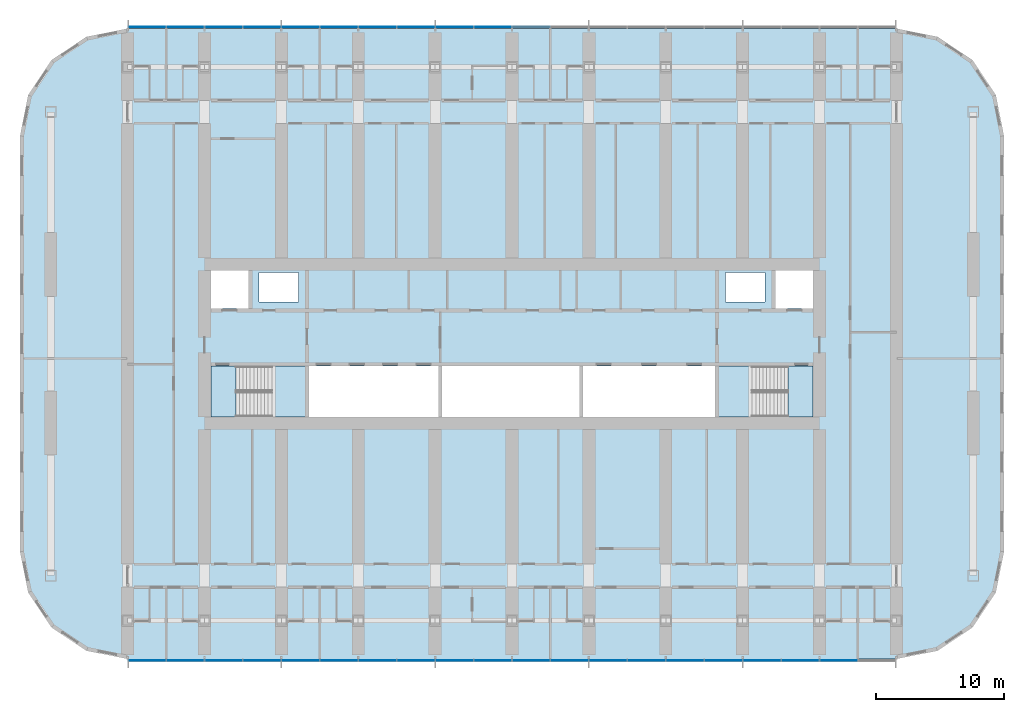
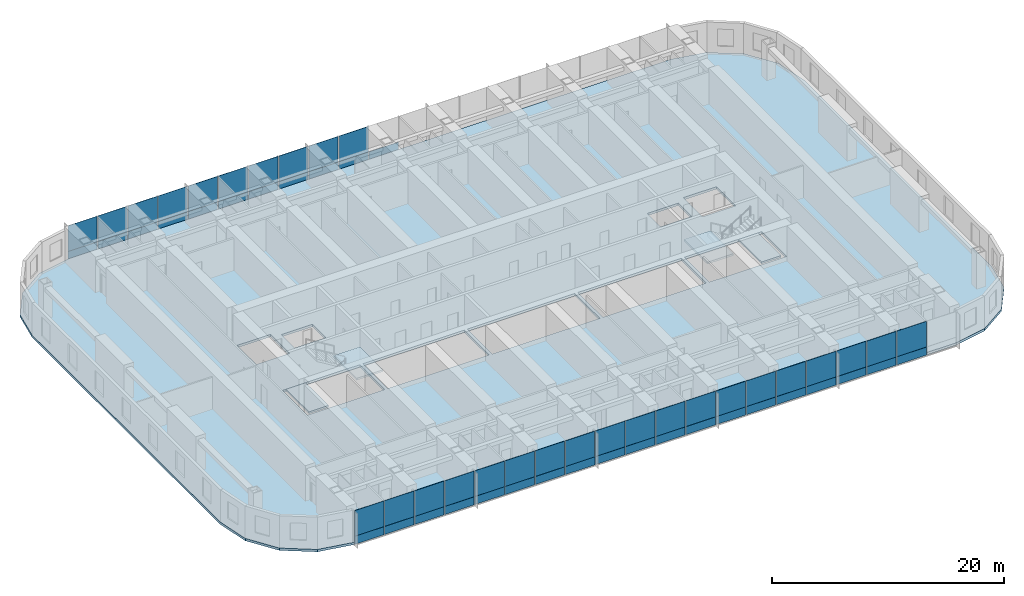
# One storey, part 8 of 23: 59 plates, 5 slabs, 4 elements without a shape of their own.
"""IFC4 building model written with IfcOpenShell, lengths in metres."""

from ifc_helpers import new_model, si_unit, direction, frame, origin, origin_2d, place, context, subcontext, project, spatial, polyline, rectangle, outline, extrude, material, layer, layer_set, type_object, element, aggregate, save


model = new_model("IFC4")

# Units and contexts
model_context = context("Model", 3, precision=1e-05, world=origin(), true_north=direction((0.0, 1.0)))
body_context = subcontext(model_context, "Body", "Model", "MODEL_VIEW")
ifc_project = project(units=[si_unit("LENGTHUNIT", "METRE"), si_unit("AREAUNIT", "SQUARE_METRE"), si_unit("VOLUMEUNIT", "CUBIC_METRE"), si_unit("PLANEANGLEUNIT", "RADIAN"), si_unit("MASSUNIT", "GRAM", prefix="KILO")], contexts=[model_context])

# Site, building, storey
site_placement = place(None, origin())
site = spatial("IfcSite", under=ifc_project, at=site_placement, CompositionType="ELEMENT")
building_placement = place(site_placement, origin())
building = spatial("IfcBuilding", under=site, at=building_placement, Name="Orbita Commons", CompositionType="ELEMENT")
storey_placement = place(building_placement, frame((0.0, 0.0, 65.199951171875)))
storey = spatial("IfcBuildingStorey", under=building, at=storey_placement, Name="L16", CompositionType="ELEMENT", Elevation=65.199951171875)

# Slab
ifc_material_1 = material(Name="Concrete C40/50", Category="concrete")
ifc_layer_1 = layer(ifc_material_1, 0.25)
ifc_layer_set_1 = layer_set([ifc_layer_1], Name="Concrete C40/50")
slab_type_1 = type_object("IfcSlabType", Name="Floor slab 250", PredefinedType="FLOOR", material=ifc_layer_set_1)
slab_1_placement = place(storey_placement, frame((0.0, 0.0, -0.25)))
element("IfcSlab", 1, at=slab_1_placement, inside=storey, type_object=slab_type_1, Name="Floor slab L16", PredefinedType="FLOOR", context=body_context, shape_type="SweptSolid", body=[
    extrude(outline(polyline([(72.0, 7.39990234375), (75.214599609375, 8.039306640625), (77.939697265625, 9.8603515625), (79.760498046875, 12.58544921875), (80.39990234375, 15.800048828125), (80.39990234375, 48.199951171875), (79.760498046875, 51.41455078125), (77.939697265625, 54.1396484375), (75.214599609375, 55.960693359375), (72.0, 56.60009765625), (12.0, 56.60009765625), (8.785400390625, 55.960693359375), (6.060302734375, 54.1396484375), (4.239501953125, 51.41455078125), (3.60009765625, 48.199951171875), (3.60009765625, 15.800048828125), (4.239501953125, 12.58544921875), (6.060302734375, 9.8603515625), (8.785400390625, 8.039306640625), (12.0, 7.39990234375), (72.0, 7.39990234375)]), holes=[polyline([(18.14990234375, 25.949951171875), (25.85009765625, 25.949951171875), (25.85009765625, 30.25), (18.14990234375, 30.25), (18.14990234375, 25.949951171875)]), polyline([(58.14990234375, 25.949951171875), (65.85009765625, 25.949951171875), (65.85009765625, 30.25), (58.14990234375, 30.25), (58.14990234375, 25.949951171875)]), polyline([(18.14990234375, 34.75), (21.449951171875, 34.75), (21.449951171875, 38.050048828125), (18.14990234375, 38.050048828125), (18.14990234375, 34.75)]), polyline([(62.550048828125, 34.75), (65.85009765625, 34.75), (65.85009765625, 38.050048828125), (62.550048828125, 38.050048828125), (62.550048828125, 34.75)]), polyline([(22.25, 35.25), (25.35009765625, 35.25), (25.35009765625, 37.550048828125), (22.25, 37.550048828125), (22.25, 35.25)]), polyline([(58.64990234375, 35.25), (61.75, 35.25), (61.75, 37.550048828125), (58.64990234375, 37.550048828125), (58.64990234375, 35.25)]), polyline([(26.14990234375, 25.949951171875), (36.25, 25.949951171875), (36.25, 30.25), (26.14990234375, 30.25), (26.14990234375, 25.949951171875)]), polyline([(36.550048828125, 25.949951171875), (47.25, 25.949951171875), (47.25, 30.25), (36.550048828125, 30.25), (36.550048828125, 25.949951171875)]), polyline([(47.550048828125, 25.949951171875), (57.85009765625, 25.949951171875), (57.85009765625, 30.25), (47.550048828125, 30.25), (47.550048828125, 25.949951171875)])]), origin(), (0.0, 0.0, 1.0), 0.25),
])

# Curtain wall, plates
ifc_material_2 = material(Name="Anodised aluminium frame, pale silver", Category="aluminium")
curtain_wall_type = type_object("IfcCurtainWallType", Name="Unitised curtain wall CW-T, vision and spandrel", PredefinedType="NOTDEFINED", material=ifc_material_2)
curtain_wall_1_placement = place(storey_placement, origin())
curtain_wall_1 = element("IfcCurtainWall", 2, at=curtain_wall_1_placement, inside=storey, type_object=curtain_wall_type, Name="Curtain wall south L16", PredefinedType="NOTDEFINED")
ifc_material_3 = material(Name="Anodised aluminium sheet on mineral wool", Category="aluminium")
ifc_layer_2 = layer(ifc_material_3, 0.050048828125)
ifc_layer_set_2 = layer_set([ifc_layer_2], Name="Anodised aluminium sheet on mineral wool")
plate_type_1 = type_object("IfcPlateType", Name="Spandrel panel, pale aluminium over insulation 50", PredefinedType="CURTAIN_PANEL", material=ifc_layer_set_2)
plate_1_placement = place(storey_placement, frame((13.52001953125, 7.2900390625, -0.14990234375), z_axis=(0.0, 0.0, 1.0), x_axis=(1.0, 0.0, 0.0)))
plate_1 = element("IfcPlate", 3, at=plate_1_placement, type_object=plate_type_1, Name="Panel 1.1 CW-L16-S", PredefinedType="CURTAIN_PANEL", context=body_context, shape_type="SweptSolid", body=[
    extrude(rectangle(XDim=2.8798828125, YDim=0.050048828125, at=origin_2d()), origin(), (0.0, 0.0, 1.0), 0.84912109375),
])
plate_2_placement = place(storey_placement, frame((16.5, 7.2900390625, -0.14990234375), z_axis=(0.0, 0.0, 1.0), x_axis=(1.0, 0.0, 0.0)))
plate_2 = element("IfcPlate", 4, at=plate_2_placement, type_object=plate_type_1, Name="Panel 2.1 CW-L16-S", PredefinedType="CURTAIN_PANEL", context=body_context, shape_type="SweptSolid", body=[
    extrude(rectangle(XDim=2.919921875, YDim=0.050048828125, at=origin_2d()), origin(), (0.0, 0.0, 1.0), 0.84912109375),
])
plate_3_placement = place(storey_placement, frame((19.5, 7.2900390625, -0.14990234375), z_axis=(0.0, 0.0, 1.0), x_axis=(1.0, 0.0, 0.0)))
plate_3 = element("IfcPlate", 5, at=plate_3_placement, type_object=plate_type_1, Name="Panel 3.1 CW-L16-S", PredefinedType="CURTAIN_PANEL", context=body_context, shape_type="SweptSolid", body=[
    extrude(rectangle(XDim=2.919921875, YDim=0.050048828125, at=origin_2d()), origin(), (0.0, 0.0, 1.0), 0.84912109375),
])
plate_4_placement = place(storey_placement, frame((22.5, 7.2900390625, -0.14990234375), z_axis=(0.0, 0.0, 1.0), x_axis=(1.0, 0.0, 0.0)))
plate_4 = element("IfcPlate", 6, at=plate_4_placement, type_object=plate_type_1, Name="Panel 4.1 CW-L16-S", PredefinedType="CURTAIN_PANEL", context=body_context, shape_type="SweptSolid", body=[
    extrude(rectangle(XDim=2.919921875, YDim=0.050048828125, at=origin_2d()), origin(), (0.0, 0.0, 1.0), 0.84912109375),
])
plate_5_placement = place(storey_placement, frame((25.5, 7.2900390625, -0.14990234375), z_axis=(0.0, 0.0, 1.0), x_axis=(1.0, 0.0, 0.0)))
plate_5 = element("IfcPlate", 7, at=plate_5_placement, type_object=plate_type_1, Name="Panel 5.1 CW-L16-S", PredefinedType="CURTAIN_PANEL", context=body_context, shape_type="SweptSolid", body=[
    extrude(rectangle(XDim=2.919921875, YDim=0.050048828125, at=origin_2d()), origin(), (0.0, 0.0, 1.0), 0.84912109375),
])
plate_6_placement = place(storey_placement, frame((28.5, 7.2900390625, -0.14990234375), z_axis=(0.0, 0.0, 1.0), x_axis=(1.0, 0.0, 0.0)))
plate_6 = element("IfcPlate", 8, at=plate_6_placement, type_object=plate_type_1, Name="Panel 6.1 CW-L16-S", PredefinedType="CURTAIN_PANEL", context=body_context, shape_type="SweptSolid", body=[
    extrude(rectangle(XDim=2.919921875, YDim=0.050048828125, at=origin_2d()), origin(), (0.0, 0.0, 1.0), 0.84912109375),
])
plate_7_placement = place(storey_placement, frame((31.5, 7.2900390625, -0.14990234375), z_axis=(0.0, 0.0, 1.0), x_axis=(1.0, 0.0, 0.0)))
plate_7 = element("IfcPlate", 9, at=plate_7_placement, type_object=plate_type_1, Name="Panel 7.1 CW-L16-S", PredefinedType="CURTAIN_PANEL", context=body_context, shape_type="SweptSolid", body=[
    extrude(rectangle(XDim=2.919921875, YDim=0.050048828125, at=origin_2d()), origin(), (0.0, 0.0, 1.0), 0.84912109375),
])
plate_8_placement = place(storey_placement, frame((34.5, 7.2900390625, -0.14990234375), z_axis=(0.0, 0.0, 1.0), x_axis=(1.0, 0.0, 0.0)))
plate_8 = element("IfcPlate", 10, at=plate_8_placement, type_object=plate_type_1, Name="Panel 8.1 CW-L16-S", PredefinedType="CURTAIN_PANEL", context=body_context, shape_type="SweptSolid", body=[
    extrude(rectangle(XDim=2.919921875, YDim=0.050048828125, at=origin_2d()), origin(), (0.0, 0.0, 1.0), 0.84912109375),
])
plate_9_placement = place(storey_placement, frame((37.5, 7.2900390625, -0.14990234375), z_axis=(0.0, 0.0, 1.0), x_axis=(1.0, 0.0, 0.0)))
plate_9 = element("IfcPlate", 11, at=plate_9_placement, type_object=plate_type_1, Name="Panel 9.1 CW-L16-S", PredefinedType="CURTAIN_PANEL", context=body_context, shape_type="SweptSolid", body=[
    extrude(rectangle(XDim=2.919921875, YDim=0.050048828125, at=origin_2d()), origin(), (0.0, 0.0, 1.0), 0.84912109375),
])
plate_10_placement = place(storey_placement, frame((40.5, 7.2900390625, -0.14990234375), z_axis=(0.0, 0.0, 1.0), x_axis=(1.0, 0.0, 0.0)))
plate_10 = element("IfcPlate", 12, at=plate_10_placement, type_object=plate_type_1, Name="Panel 10.1 CW-L16-S", PredefinedType="CURTAIN_PANEL", context=body_context, shape_type="SweptSolid", body=[
    extrude(rectangle(XDim=2.919921875, YDim=0.050048828125, at=origin_2d()), origin(), (0.0, 0.0, 1.0), 0.84912109375),
])
plate_11_placement = place(storey_placement, frame((43.5, 7.2900390625, -0.14990234375), z_axis=(0.0, 0.0, 1.0), x_axis=(1.0, 0.0, 0.0)))
plate_11 = element("IfcPlate", 13, at=plate_11_placement, type_object=plate_type_1, Name="Panel 11.1 CW-L16-S", PredefinedType="CURTAIN_PANEL", context=body_context, shape_type="SweptSolid", body=[
    extrude(rectangle(XDim=2.919921875, YDim=0.050048828125, at=origin_2d()), origin(), (0.0, 0.0, 1.0), 0.84912109375),
])
plate_12_placement = place(storey_placement, frame((46.5, 7.2900390625, -0.14990234375), z_axis=(0.0, 0.0, 1.0), x_axis=(1.0, 0.0, 0.0)))
plate_12 = element("IfcPlate", 14, at=plate_12_placement, type_object=plate_type_1, Name="Panel 12.1 CW-L16-S", PredefinedType="CURTAIN_PANEL", context=body_context, shape_type="SweptSolid", body=[
    extrude(rectangle(XDim=2.919921875, YDim=0.050048828125, at=origin_2d()), origin(), (0.0, 0.0, 1.0), 0.84912109375),
])
plate_13_placement = place(storey_placement, frame((49.5, 7.2900390625, -0.14990234375), z_axis=(0.0, 0.0, 1.0), x_axis=(1.0, 0.0, 0.0)))
plate_13 = element("IfcPlate", 15, at=plate_13_placement, type_object=plate_type_1, Name="Panel 13.1 CW-L16-S", PredefinedType="CURTAIN_PANEL", context=body_context, shape_type="SweptSolid", body=[
    extrude(rectangle(XDim=2.919921875, YDim=0.050048828125, at=origin_2d()), origin(), (0.0, 0.0, 1.0), 0.84912109375),
])
plate_14_placement = place(storey_placement, frame((52.5, 7.2900390625, -0.14990234375), z_axis=(0.0, 0.0, 1.0), x_axis=(1.0, 0.0, 0.0)))
plate_14 = element("IfcPlate", 16, at=plate_14_placement, type_object=plate_type_1, Name="Panel 14.1 CW-L16-S", PredefinedType="CURTAIN_PANEL", context=body_context, shape_type="SweptSolid", body=[
    extrude(rectangle(XDim=2.919921875, YDim=0.050048828125, at=origin_2d()), origin(), (0.0, 0.0, 1.0), 0.84912109375),
])
plate_15_placement = place(storey_placement, frame((55.5, 7.2900390625, -0.14990234375), z_axis=(0.0, 0.0, 1.0), x_axis=(1.0, 0.0, 0.0)))
plate_15 = element("IfcPlate", 17, at=plate_15_placement, type_object=plate_type_1, Name="Panel 15.1 CW-L16-S", PredefinedType="CURTAIN_PANEL", context=body_context, shape_type="SweptSolid", body=[
    extrude(rectangle(XDim=2.919921875, YDim=0.050048828125, at=origin_2d()), origin(), (0.0, 0.0, 1.0), 0.84912109375),
])
plate_16_placement = place(storey_placement, frame((58.5, 7.2900390625, -0.14990234375), z_axis=(0.0, 0.0, 1.0), x_axis=(1.0, 0.0, 0.0)))
plate_16 = element("IfcPlate", 18, at=plate_16_placement, type_object=plate_type_1, Name="Panel 16.1 CW-L16-S", PredefinedType="CURTAIN_PANEL", context=body_context, shape_type="SweptSolid", body=[
    extrude(rectangle(XDim=2.919921875, YDim=0.050048828125, at=origin_2d()), origin(), (0.0, 0.0, 1.0), 0.84912109375),
])
plate_17_placement = place(storey_placement, frame((61.5, 7.2900390625, -0.14990234375), z_axis=(0.0, 0.0, 1.0), x_axis=(1.0, 0.0, 0.0)))
plate_17 = element("IfcPlate", 19, at=plate_17_placement, type_object=plate_type_1, Name="Panel 17.1 CW-L16-S", PredefinedType="CURTAIN_PANEL", context=body_context, shape_type="SweptSolid", body=[
    extrude(rectangle(XDim=2.919921875, YDim=0.050048828125, at=origin_2d()), origin(), (0.0, 0.0, 1.0), 0.84912109375),
])
plate_18_placement = place(storey_placement, frame((64.5, 7.2900390625, -0.14990234375), z_axis=(0.0, 0.0, 1.0), x_axis=(1.0, 0.0, 0.0)))
plate_18 = element("IfcPlate", 20, at=plate_18_placement, type_object=plate_type_1, Name="Panel 18.1 CW-L16-S", PredefinedType="CURTAIN_PANEL", context=body_context, shape_type="SweptSolid", body=[
    extrude(rectangle(XDim=2.919921875, YDim=0.050048828125, at=origin_2d()), origin(), (0.0, 0.0, 1.0), 0.84912109375),
])
plate_19_placement = place(storey_placement, frame((67.5, 7.2900390625, -0.14990234375), z_axis=(0.0, 0.0, 1.0), x_axis=(1.0, 0.0, 0.0)))
plate_19 = element("IfcPlate", 21, at=plate_19_placement, type_object=plate_type_1, Name="Panel 19.1 CW-L16-S", PredefinedType="CURTAIN_PANEL", context=body_context, shape_type="SweptSolid", body=[
    extrude(rectangle(XDim=2.919921875, YDim=0.050048828125, at=origin_2d()), origin(), (0.0, 0.0, 1.0), 0.84912109375),
])

curtain_wall_2_placement = place(storey_placement, origin())
curtain_wall_2 = element("IfcCurtainWall", 22, at=curtain_wall_2_placement, inside=storey, type_object=curtain_wall_type, Name="Curtain wall north L16", PredefinedType="NOTDEFINED")
plate_20_placement = place(storey_placement, frame((43.5, 56.7099609375, -0.14990234375), z_axis=(0.0, 0.0, 1.0), x_axis=(-1.0, 0.0, 0.0)))
plate_20 = element("IfcPlate", 23, at=plate_20_placement, type_object=plate_type_1, Name="Panel 10.1 CW-L16-N", PredefinedType="CURTAIN_PANEL", context=body_context, shape_type="SweptSolid", body=[
    extrude(rectangle(XDim=2.919921875, YDim=0.050048828125, at=origin_2d()), origin(), (0.0, 0.0, 1.0), 0.84912109375),
])
plate_21_placement = place(storey_placement, frame((40.5, 56.7099609375, -0.14990234375), z_axis=(0.0, 0.0, 1.0), x_axis=(-1.0, 0.0, 0.0)))
plate_21 = element("IfcPlate", 24, at=plate_21_placement, type_object=plate_type_1, Name="Panel 11.1 CW-L16-N", PredefinedType="CURTAIN_PANEL", context=body_context, shape_type="SweptSolid", body=[
    extrude(rectangle(XDim=2.919921875, YDim=0.050048828125, at=origin_2d()), origin(), (0.0, 0.0, 1.0), 0.84912109375),
])
plate_22_placement = place(storey_placement, frame((37.5, 56.7099609375, -0.14990234375), z_axis=(0.0, 0.0, 1.0), x_axis=(-1.0, 0.0, 0.0)))
plate_22 = element("IfcPlate", 25, at=plate_22_placement, type_object=plate_type_1, Name="Panel 12.1 CW-L16-N", PredefinedType="CURTAIN_PANEL", context=body_context, shape_type="SweptSolid", body=[
    extrude(rectangle(XDim=2.919921875, YDim=0.050048828125, at=origin_2d()), origin(), (0.0, 0.0, 1.0), 0.84912109375),
])
plate_23_placement = place(storey_placement, frame((34.5, 56.7099609375, -0.14990234375), z_axis=(0.0, 0.0, 1.0), x_axis=(-1.0, 0.0, 0.0)))
plate_23 = element("IfcPlate", 26, at=plate_23_placement, type_object=plate_type_1, Name="Panel 13.1 CW-L16-N", PredefinedType="CURTAIN_PANEL", context=body_context, shape_type="SweptSolid", body=[
    extrude(rectangle(XDim=2.919921875, YDim=0.050048828125, at=origin_2d()), origin(), (0.0, 0.0, 1.0), 0.84912109375),
])
plate_24_placement = place(storey_placement, frame((31.5, 56.7099609375, -0.14990234375), z_axis=(0.0, 0.0, 1.0), x_axis=(-1.0, 0.0, 0.0)))
plate_24 = element("IfcPlate", 27, at=plate_24_placement, type_object=plate_type_1, Name="Panel 14.1 CW-L16-N", PredefinedType="CURTAIN_PANEL", context=body_context, shape_type="SweptSolid", body=[
    extrude(rectangle(XDim=2.919921875, YDim=0.050048828125, at=origin_2d()), origin(), (0.0, 0.0, 1.0), 0.84912109375),
])
plate_25_placement = place(storey_placement, frame((28.5, 56.7099609375, -0.14990234375), z_axis=(0.0, 0.0, 1.0), x_axis=(-1.0, 0.0, 0.0)))
plate_25 = element("IfcPlate", 28, at=plate_25_placement, type_object=plate_type_1, Name="Panel 15.1 CW-L16-N", PredefinedType="CURTAIN_PANEL", context=body_context, shape_type="SweptSolid", body=[
    extrude(rectangle(XDim=2.919921875, YDim=0.050048828125, at=origin_2d()), origin(), (0.0, 0.0, 1.0), 0.84912109375),
])
plate_26_placement = place(storey_placement, frame((25.5, 56.7099609375, -0.14990234375), z_axis=(0.0, 0.0, 1.0), x_axis=(-1.0, 0.0, 0.0)))
plate_26 = element("IfcPlate", 29, at=plate_26_placement, type_object=plate_type_1, Name="Panel 16.1 CW-L16-N", PredefinedType="CURTAIN_PANEL", context=body_context, shape_type="SweptSolid", body=[
    extrude(rectangle(XDim=2.919921875, YDim=0.050048828125, at=origin_2d()), origin(), (0.0, 0.0, 1.0), 0.84912109375),
])
plate_27_placement = place(storey_placement, frame((22.5, 56.7099609375, -0.14990234375), z_axis=(0.0, 0.0, 1.0), x_axis=(-1.0, 0.0, 0.0)))
plate_27 = element("IfcPlate", 30, at=plate_27_placement, type_object=plate_type_1, Name="Panel 17.1 CW-L16-N", PredefinedType="CURTAIN_PANEL", context=body_context, shape_type="SweptSolid", body=[
    extrude(rectangle(XDim=2.919921875, YDim=0.050048828125, at=origin_2d()), origin(), (0.0, 0.0, 1.0), 0.84912109375),
])
plate_28_placement = place(storey_placement, frame((19.5, 56.7099609375, -0.14990234375), z_axis=(0.0, 0.0, 1.0), x_axis=(-1.0, 0.0, 0.0)))
plate_28 = element("IfcPlate", 31, at=plate_28_placement, type_object=plate_type_1, Name="Panel 18.1 CW-L16-N", PredefinedType="CURTAIN_PANEL", context=body_context, shape_type="SweptSolid", body=[
    extrude(rectangle(XDim=2.919921875, YDim=0.050048828125, at=origin_2d()), origin(), (0.0, 0.0, 1.0), 0.84912109375),
])
plate_29_placement = place(storey_placement, frame((16.5, 56.7099609375, -0.14990234375), z_axis=(0.0, 0.0, 1.0), x_axis=(-1.0, 0.0, 0.0)))
plate_29 = element("IfcPlate", 32, at=plate_29_placement, type_object=plate_type_1, Name="Panel 19.1 CW-L16-N", PredefinedType="CURTAIN_PANEL", context=body_context, shape_type="SweptSolid", body=[
    extrude(rectangle(XDim=2.919921875, YDim=0.050048828125, at=origin_2d()), origin(), (0.0, 0.0, 1.0), 0.84912109375),
])
plate_30_placement = place(storey_placement, frame((13.52001953125, 56.7099609375, -0.14990234375), z_axis=(0.0, 0.0, 1.0), x_axis=(-1.0, 0.0, 0.0)))
plate_30 = element("IfcPlate", 33, at=plate_30_placement, type_object=plate_type_1, Name="Panel 20.1 CW-L16-N", PredefinedType="CURTAIN_PANEL", context=body_context, shape_type="SweptSolid", body=[
    extrude(rectangle(XDim=2.8798828125, YDim=0.050048828125, at=origin_2d()), origin(), (0.0, 0.0, 1.0), 0.84912109375),
])

# Stair, slabs
ifc_material_4 = material(Name="Precast concrete C40/50", Category="concrete")
stair_type_1 = type_object("IfcStairType", Name="Exit stair S1 2 flights 11 risers 170", PredefinedType="HALF_TURN_STAIR", material=ifc_material_4)
stair_1_placement = place(storey_placement, origin())
stair_1 = element("IfcStair", 34, at=stair_1_placement, inside=storey, type_object=stair_type_1, Name="Exit stair S1 L16", PredefinedType="HALF_TURN_STAIR")
ifc_material_5 = material(Name="Concrete C40/50", Category="concrete")
ifc_layer_3 = layer(ifc_material_5, 0.199951171875)
ifc_layer_set_3 = layer_set([ifc_layer_3], Name="Concrete C40/50")
slab_type_2 = type_object("IfcSlabType", Name="Stair landing 200", PredefinedType="LANDING", material=ifc_layer_set_3)
slab_2_placement = place(storey_placement, frame((0.0, 0.0, -0.199951171875)))
slab_2 = element("IfcSlab", 35, at=slab_2_placement, type_object=slab_type_2, Name="S1 landing 1", PredefinedType="LANDING", context=body_context, shape_type="SweptSolid", body=[
    extrude(outline(polyline([(18.5, 26.300048828125), (20.449951171875, 26.300048828125), (20.449951171875, 30.25), (18.5, 30.25), (18.5, 26.300048828125)])), origin(), (0.0, 0.0, 1.0), 0.199951171875),
])
slab_3_placement = place(storey_placement, frame((0.0, 0.0, 1.675048828125)))
slab_3 = element("IfcSlab", 36, at=slab_3_placement, type_object=slab_type_2, Name="S1 landing 2", PredefinedType="LANDING", context=body_context, shape_type="SweptSolid", body=[
    extrude(outline(polyline([(23.25, 26.284912109375), (25.864990234375, 26.284912109375), (25.864990234375, 30.264892578125), (23.25, 30.264892578125), (23.25, 26.284912109375)])), origin(), (0.0, 0.0, 1.0), 0.199951171875),
])
aggregate(stair_1, [slab_2, slab_3])

ifc_material_6 = material(Name="Precast concrete C40/50", Category="concrete")
stair_type_2 = type_object("IfcStairType", Name="Exit stair S2 2 flights 11 risers 170", PredefinedType="HALF_TURN_STAIR", material=ifc_material_6)
stair_2_placement = place(storey_placement, origin())
stair_2 = element("IfcStair", 37, at=stair_2_placement, inside=storey, type_object=stair_type_2, Name="Exit stair S2 L16", PredefinedType="HALF_TURN_STAIR")
slab_4_placement = place(storey_placement, frame((0.0, 0.0, -0.199951171875)))
slab_4 = element("IfcSlab", 38, at=slab_4_placement, type_object=slab_type_2, Name="S2 landing 1", PredefinedType="LANDING", context=body_context, shape_type="SweptSolid", body=[
    extrude(outline(polyline([(63.550048828125, 26.300048828125), (65.5, 26.300048828125), (65.5, 30.25), (63.550048828125, 30.25), (63.550048828125, 26.300048828125)])), origin(), (0.0, 0.0, 1.0), 0.199951171875),
])
slab_5_placement = place(storey_placement, frame((0.0, 0.0, 1.675048828125)))
slab_5 = element("IfcSlab", 39, at=slab_5_placement, type_object=slab_type_2, Name="S2 landing 2", PredefinedType="LANDING", context=body_context, shape_type="SweptSolid", body=[
    extrude(outline(polyline([(58.135009765625, 26.284912109375), (60.75, 26.284912109375), (60.75, 30.264892578125), (58.135009765625, 30.264892578125), (58.135009765625, 26.284912109375)])), origin(), (0.0, 0.0, 1.0), 0.199951171875),
])
aggregate(stair_2, [slab_4, slab_5])

# Plate
ifc_material_7 = material(Name="Clear double glazing", Category="glass")
ifc_layer_4 = layer(ifc_material_7, 0.031982421875)
ifc_layer_set_4 = layer_set([ifc_layer_4], Name="Clear double glazing")
plate_type_2 = type_object("IfcPlateType", Name="Vision panel, clear double glazing 32", PredefinedType="CURTAIN_PANEL", material=ifc_layer_set_4)
plate_31_placement = place(storey_placement, frame((13.52001953125, 7.2900390625, 0.69921875), z_axis=(0.0, 0.0, 1.0), x_axis=(1.0, 0.0, 0.0)))
plate_31 = element("IfcPlate", 40, at=plate_31_placement, type_object=plate_type_2, Name="Panel 1.2 CW-L16-S", PredefinedType="CURTAIN_PANEL", context=body_context, shape_type="SweptSolid", body=[
    extrude(rectangle(XDim=2.8798828125, YDim=0.031982421875, at=origin_2d()), origin(), (0.0, 0.0, 1.0), 2.700927734375),
])

plate_32_placement = place(storey_placement, frame((16.5, 7.2900390625, 0.69921875), z_axis=(0.0, 0.0, 1.0), x_axis=(1.0, 0.0, 0.0)))
plate_32 = element("IfcPlate", 41, at=plate_32_placement, type_object=plate_type_2, Name="Panel 2.2 CW-L16-S", PredefinedType="CURTAIN_PANEL", context=body_context, shape_type="SweptSolid", body=[
    extrude(rectangle(XDim=2.919921875, YDim=0.031982421875, at=origin_2d()), origin(), (0.0, 0.0, 1.0), 2.700927734375),
])

plate_33_placement = place(storey_placement, frame((19.5, 7.2900390625, 0.69921875), z_axis=(0.0, 0.0, 1.0), x_axis=(1.0, 0.0, 0.0)))
plate_33 = element("IfcPlate", 42, at=plate_33_placement, type_object=plate_type_2, Name="Panel 3.2 CW-L16-S", PredefinedType="CURTAIN_PANEL", context=body_context, shape_type="SweptSolid", body=[
    extrude(rectangle(XDim=2.919921875, YDim=0.031982421875, at=origin_2d()), origin(), (0.0, 0.0, 1.0), 2.700927734375),
])

plate_34_placement = place(storey_placement, frame((22.5, 7.2900390625, 0.69921875), z_axis=(0.0, 0.0, 1.0), x_axis=(1.0, 0.0, 0.0)))
plate_34 = element("IfcPlate", 43, at=plate_34_placement, type_object=plate_type_2, Name="Panel 4.2 CW-L16-S", PredefinedType="CURTAIN_PANEL", context=body_context, shape_type="SweptSolid", body=[
    extrude(rectangle(XDim=2.919921875, YDim=0.031982421875, at=origin_2d()), origin(), (0.0, 0.0, 1.0), 2.700927734375),
])

plate_35_placement = place(storey_placement, frame((25.5, 7.2900390625, 0.69921875), z_axis=(0.0, 0.0, 1.0), x_axis=(1.0, 0.0, 0.0)))
plate_35 = element("IfcPlate", 44, at=plate_35_placement, type_object=plate_type_2, Name="Panel 5.2 CW-L16-S", PredefinedType="CURTAIN_PANEL", context=body_context, shape_type="SweptSolid", body=[
    extrude(rectangle(XDim=2.919921875, YDim=0.031982421875, at=origin_2d()), origin(), (0.0, 0.0, 1.0), 2.700927734375),
])

plate_36_placement = place(storey_placement, frame((28.5, 7.2900390625, 0.69921875), z_axis=(0.0, 0.0, 1.0), x_axis=(1.0, 0.0, 0.0)))
plate_36 = element("IfcPlate", 45, at=plate_36_placement, type_object=plate_type_2, Name="Panel 6.2 CW-L16-S", PredefinedType="CURTAIN_PANEL", context=body_context, shape_type="SweptSolid", body=[
    extrude(rectangle(XDim=2.919921875, YDim=0.031982421875, at=origin_2d()), origin(), (0.0, 0.0, 1.0), 2.700927734375),
])

plate_37_placement = place(storey_placement, frame((31.5, 7.2900390625, 0.69921875), z_axis=(0.0, 0.0, 1.0), x_axis=(1.0, 0.0, 0.0)))
plate_37 = element("IfcPlate", 46, at=plate_37_placement, type_object=plate_type_2, Name="Panel 7.2 CW-L16-S", PredefinedType="CURTAIN_PANEL", context=body_context, shape_type="SweptSolid", body=[
    extrude(rectangle(XDim=2.919921875, YDim=0.031982421875, at=origin_2d()), origin(), (0.0, 0.0, 1.0), 2.700927734375),
])

plate_38_placement = place(storey_placement, frame((34.5, 7.2900390625, 0.69921875), z_axis=(0.0, 0.0, 1.0), x_axis=(1.0, 0.0, 0.0)))
plate_38 = element("IfcPlate", 47, at=plate_38_placement, type_object=plate_type_2, Name="Panel 8.2 CW-L16-S", PredefinedType="CURTAIN_PANEL", context=body_context, shape_type="SweptSolid", body=[
    extrude(rectangle(XDim=2.919921875, YDim=0.031982421875, at=origin_2d()), origin(), (0.0, 0.0, 1.0), 2.700927734375),
])

plate_39_placement = place(storey_placement, frame((37.5, 7.2900390625, 0.69921875), z_axis=(0.0, 0.0, 1.0), x_axis=(1.0, 0.0, 0.0)))
plate_39 = element("IfcPlate", 48, at=plate_39_placement, type_object=plate_type_2, Name="Panel 9.2 CW-L16-S", PredefinedType="CURTAIN_PANEL", context=body_context, shape_type="SweptSolid", body=[
    extrude(rectangle(XDim=2.919921875, YDim=0.031982421875, at=origin_2d()), origin(), (0.0, 0.0, 1.0), 2.700927734375),
])

plate_40_placement = place(storey_placement, frame((40.5, 7.2900390625, 0.69921875), z_axis=(0.0, 0.0, 1.0), x_axis=(1.0, 0.0, 0.0)))
plate_40 = element("IfcPlate", 49, at=plate_40_placement, type_object=plate_type_2, Name="Panel 10.2 CW-L16-S", PredefinedType="CURTAIN_PANEL", context=body_context, shape_type="SweptSolid", body=[
    extrude(rectangle(XDim=2.919921875, YDim=0.031982421875, at=origin_2d()), origin(), (0.0, 0.0, 1.0), 2.700927734375),
])

plate_41_placement = place(storey_placement, frame((43.5, 7.2900390625, 0.69921875), z_axis=(0.0, 0.0, 1.0), x_axis=(1.0, 0.0, 0.0)))
plate_41 = element("IfcPlate", 50, at=plate_41_placement, type_object=plate_type_2, Name="Panel 11.2 CW-L16-S", PredefinedType="CURTAIN_PANEL", context=body_context, shape_type="SweptSolid", body=[
    extrude(rectangle(XDim=2.919921875, YDim=0.031982421875, at=origin_2d()), origin(), (0.0, 0.0, 1.0), 2.700927734375),
])

plate_42_placement = place(storey_placement, frame((46.5, 7.2900390625, 0.69921875), z_axis=(0.0, 0.0, 1.0), x_axis=(1.0, 0.0, 0.0)))
plate_42 = element("IfcPlate", 51, at=plate_42_placement, type_object=plate_type_2, Name="Panel 12.2 CW-L16-S", PredefinedType="CURTAIN_PANEL", context=body_context, shape_type="SweptSolid", body=[
    extrude(rectangle(XDim=2.919921875, YDim=0.031982421875, at=origin_2d()), origin(), (0.0, 0.0, 1.0), 2.700927734375),
])

plate_43_placement = place(storey_placement, frame((49.5, 7.2900390625, 0.69921875), z_axis=(0.0, 0.0, 1.0), x_axis=(1.0, 0.0, 0.0)))
plate_43 = element("IfcPlate", 52, at=plate_43_placement, type_object=plate_type_2, Name="Panel 13.2 CW-L16-S", PredefinedType="CURTAIN_PANEL", context=body_context, shape_type="SweptSolid", body=[
    extrude(rectangle(XDim=2.919921875, YDim=0.031982421875, at=origin_2d()), origin(), (0.0, 0.0, 1.0), 2.700927734375),
])

plate_44_placement = place(storey_placement, frame((52.5, 7.2900390625, 0.69921875), z_axis=(0.0, 0.0, 1.0), x_axis=(1.0, 0.0, 0.0)))
plate_44 = element("IfcPlate", 53, at=plate_44_placement, type_object=plate_type_2, Name="Panel 14.2 CW-L16-S", PredefinedType="CURTAIN_PANEL", context=body_context, shape_type="SweptSolid", body=[
    extrude(rectangle(XDim=2.919921875, YDim=0.031982421875, at=origin_2d()), origin(), (0.0, 0.0, 1.0), 2.700927734375),
])

plate_45_placement = place(storey_placement, frame((55.5, 7.2900390625, 0.69921875), z_axis=(0.0, 0.0, 1.0), x_axis=(1.0, 0.0, 0.0)))
plate_45 = element("IfcPlate", 54, at=plate_45_placement, type_object=plate_type_2, Name="Panel 15.2 CW-L16-S", PredefinedType="CURTAIN_PANEL", context=body_context, shape_type="SweptSolid", body=[
    extrude(rectangle(XDim=2.919921875, YDim=0.031982421875, at=origin_2d()), origin(), (0.0, 0.0, 1.0), 2.700927734375),
])

plate_46_placement = place(storey_placement, frame((58.5, 7.2900390625, 0.69921875), z_axis=(0.0, 0.0, 1.0), x_axis=(1.0, 0.0, 0.0)))
plate_46 = element("IfcPlate", 55, at=plate_46_placement, type_object=plate_type_2, Name="Panel 16.2 CW-L16-S", PredefinedType="CURTAIN_PANEL", context=body_context, shape_type="SweptSolid", body=[
    extrude(rectangle(XDim=2.919921875, YDim=0.031982421875, at=origin_2d()), origin(), (0.0, 0.0, 1.0), 2.700927734375),
])

plate_47_placement = place(storey_placement, frame((61.5, 7.2900390625, 0.69921875), z_axis=(0.0, 0.0, 1.0), x_axis=(1.0, 0.0, 0.0)))
plate_47 = element("IfcPlate", 56, at=plate_47_placement, type_object=plate_type_2, Name="Panel 17.2 CW-L16-S", PredefinedType="CURTAIN_PANEL", context=body_context, shape_type="SweptSolid", body=[
    extrude(rectangle(XDim=2.919921875, YDim=0.031982421875, at=origin_2d()), origin(), (0.0, 0.0, 1.0), 2.700927734375),
])

plate_48_placement = place(storey_placement, frame((64.5, 7.2900390625, 0.69921875), z_axis=(0.0, 0.0, 1.0), x_axis=(1.0, 0.0, 0.0)))
plate_48 = element("IfcPlate", 57, at=plate_48_placement, type_object=plate_type_2, Name="Panel 18.2 CW-L16-S", PredefinedType="CURTAIN_PANEL", context=body_context, shape_type="SweptSolid", body=[
    extrude(rectangle(XDim=2.919921875, YDim=0.031982421875, at=origin_2d()), origin(), (0.0, 0.0, 1.0), 2.700927734375),
])

plate_49_placement = place(storey_placement, frame((67.5, 7.2900390625, 0.69921875), z_axis=(0.0, 0.0, 1.0), x_axis=(1.0, 0.0, 0.0)))
plate_49 = element("IfcPlate", 58, at=plate_49_placement, type_object=plate_type_2, Name="Panel 19.2 CW-L16-S", PredefinedType="CURTAIN_PANEL", context=body_context, shape_type="SweptSolid", body=[
    extrude(rectangle(XDim=2.919921875, YDim=0.031982421875, at=origin_2d()), origin(), (0.0, 0.0, 1.0), 2.700927734375),
])

aggregate(curtain_wall_1, [plate_1, plate_31, plate_2, plate_32, plate_3, plate_33, plate_4, plate_34, plate_5, plate_35, plate_6, plate_36, plate_7, plate_37, plate_8, plate_38, plate_9, plate_39, plate_10, plate_40, plate_11, plate_41, plate_12, plate_42, plate_13, plate_43, plate_14, plate_44, plate_15, plate_45, plate_16, plate_46, plate_17, plate_47, plate_18, plate_48, plate_19, plate_49])

plate_50_placement = place(storey_placement, frame((40.5, 56.7099609375, 0.69921875), z_axis=(0.0, 0.0, 1.0), x_axis=(-1.0, 0.0, 0.0)))
plate_50 = element("IfcPlate", 59, at=plate_50_placement, type_object=plate_type_2, Name="Panel 11.2 CW-L16-N", PredefinedType="CURTAIN_PANEL", context=body_context, shape_type="SweptSolid", body=[
    extrude(rectangle(XDim=2.919921875, YDim=0.031982421875, at=origin_2d()), origin(), (0.0, 0.0, 1.0), 2.700927734375),
])

plate_51_placement = place(storey_placement, frame((37.5, 56.7099609375, 0.69921875), z_axis=(0.0, 0.0, 1.0), x_axis=(-1.0, 0.0, 0.0)))
plate_51 = element("IfcPlate", 60, at=plate_51_placement, type_object=plate_type_2, Name="Panel 12.2 CW-L16-N", PredefinedType="CURTAIN_PANEL", context=body_context, shape_type="SweptSolid", body=[
    extrude(rectangle(XDim=2.919921875, YDim=0.031982421875, at=origin_2d()), origin(), (0.0, 0.0, 1.0), 2.700927734375),
])

plate_52_placement = place(storey_placement, frame((34.5, 56.7099609375, 0.69921875), z_axis=(0.0, 0.0, 1.0), x_axis=(-1.0, 0.0, 0.0)))
plate_52 = element("IfcPlate", 61, at=plate_52_placement, type_object=plate_type_2, Name="Panel 13.2 CW-L16-N", PredefinedType="CURTAIN_PANEL", context=body_context, shape_type="SweptSolid", body=[
    extrude(rectangle(XDim=2.919921875, YDim=0.031982421875, at=origin_2d()), origin(), (0.0, 0.0, 1.0), 2.700927734375),
])

plate_53_placement = place(storey_placement, frame((31.5, 56.7099609375, 0.69921875), z_axis=(0.0, 0.0, 1.0), x_axis=(-1.0, 0.0, 0.0)))
plate_53 = element("IfcPlate", 62, at=plate_53_placement, type_object=plate_type_2, Name="Panel 14.2 CW-L16-N", PredefinedType="CURTAIN_PANEL", context=body_context, shape_type="SweptSolid", body=[
    extrude(rectangle(XDim=2.919921875, YDim=0.031982421875, at=origin_2d()), origin(), (0.0, 0.0, 1.0), 2.700927734375),
])

plate_54_placement = place(storey_placement, frame((28.5, 56.7099609375, 0.69921875), z_axis=(0.0, 0.0, 1.0), x_axis=(-1.0, 0.0, 0.0)))
plate_54 = element("IfcPlate", 63, at=plate_54_placement, type_object=plate_type_2, Name="Panel 15.2 CW-L16-N", PredefinedType="CURTAIN_PANEL", context=body_context, shape_type="SweptSolid", body=[
    extrude(rectangle(XDim=2.919921875, YDim=0.031982421875, at=origin_2d()), origin(), (0.0, 0.0, 1.0), 2.700927734375),
])

plate_55_placement = place(storey_placement, frame((25.5, 56.7099609375, 0.69921875), z_axis=(0.0, 0.0, 1.0), x_axis=(-1.0, 0.0, 0.0)))
plate_55 = element("IfcPlate", 64, at=plate_55_placement, type_object=plate_type_2, Name="Panel 16.2 CW-L16-N", PredefinedType="CURTAIN_PANEL", context=body_context, shape_type="SweptSolid", body=[
    extrude(rectangle(XDim=2.919921875, YDim=0.031982421875, at=origin_2d()), origin(), (0.0, 0.0, 1.0), 2.700927734375),
])

plate_56_placement = place(storey_placement, frame((22.5, 56.7099609375, 0.69921875), z_axis=(0.0, 0.0, 1.0), x_axis=(-1.0, 0.0, 0.0)))
plate_56 = element("IfcPlate", 65, at=plate_56_placement, type_object=plate_type_2, Name="Panel 17.2 CW-L16-N", PredefinedType="CURTAIN_PANEL", context=body_context, shape_type="SweptSolid", body=[
    extrude(rectangle(XDim=2.919921875, YDim=0.031982421875, at=origin_2d()), origin(), (0.0, 0.0, 1.0), 2.700927734375),
])

plate_57_placement = place(storey_placement, frame((19.5, 56.7099609375, 0.69921875), z_axis=(0.0, 0.0, 1.0), x_axis=(-1.0, 0.0, 0.0)))
plate_57 = element("IfcPlate", 66, at=plate_57_placement, type_object=plate_type_2, Name="Panel 18.2 CW-L16-N", PredefinedType="CURTAIN_PANEL", context=body_context, shape_type="SweptSolid", body=[
    extrude(rectangle(XDim=2.919921875, YDim=0.031982421875, at=origin_2d()), origin(), (0.0, 0.0, 1.0), 2.700927734375),
])

plate_58_placement = place(storey_placement, frame((16.5, 56.7099609375, 0.69921875), z_axis=(0.0, 0.0, 1.0), x_axis=(-1.0, 0.0, 0.0)))
plate_58 = element("IfcPlate", 67, at=plate_58_placement, type_object=plate_type_2, Name="Panel 19.2 CW-L16-N", PredefinedType="CURTAIN_PANEL", context=body_context, shape_type="SweptSolid", body=[
    extrude(rectangle(XDim=2.919921875, YDim=0.031982421875, at=origin_2d()), origin(), (0.0, 0.0, 1.0), 2.700927734375),
])

plate_59_placement = place(storey_placement, frame((13.52001953125, 56.7099609375, 0.69921875), z_axis=(0.0, 0.0, 1.0), x_axis=(-1.0, 0.0, 0.0)))
plate_59 = element("IfcPlate", 68, at=plate_59_placement, type_object=plate_type_2, Name="Panel 20.2 CW-L16-N", PredefinedType="CURTAIN_PANEL", context=body_context, shape_type="SweptSolid", body=[
    extrude(rectangle(XDim=2.8798828125, YDim=0.031982421875, at=origin_2d()), origin(), (0.0, 0.0, 1.0), 2.700927734375),
])

aggregate(curtain_wall_2, [plate_20, plate_21, plate_50, plate_22, plate_51, plate_23, plate_52, plate_24, plate_53, plate_25, plate_54, plate_26, plate_55, plate_27, plate_56, plate_28, plate_57, plate_29, plate_58, plate_30, plate_59])

save(model, "model.ifc")
